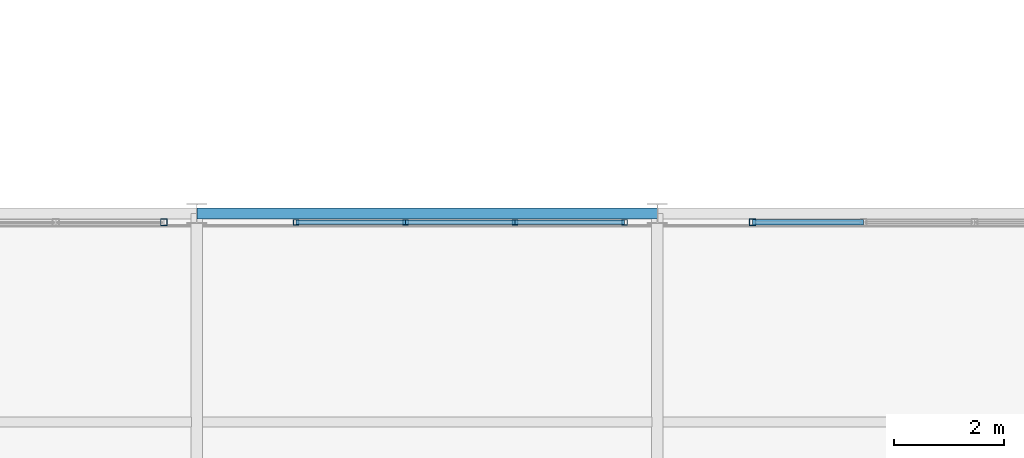
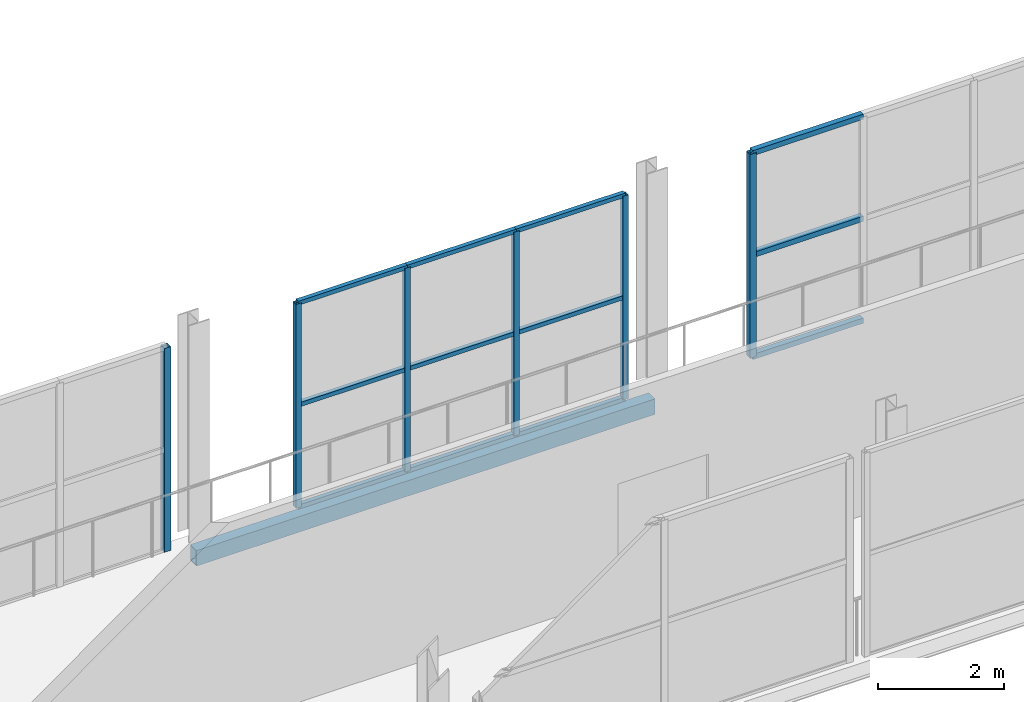
# One storey, part 63 of 217: 18 members, 1 beam, 3 elements without a shape of their own.
"""IFC4 building model written with IfcOpenShell, lengths in metres."""

from ifc_helpers import new_model, si_unit, direction, frame, origin, origin_2d, place, context, subcontext, project, spatial, hollow_rectangle, extrude, material, material_profile, profile_set, type_object, element, aggregate, save


model = new_model("IFC4")

# Units and contexts
model_context = context("Model", 3, precision=1e-05, world=origin(), true_north=direction((0.0, 1.0)))
body_context = subcontext(model_context, "Body", "Model", "MODEL_VIEW")
ifc_project = project(units=[si_unit("LENGTHUNIT", "METRE"), si_unit("AREAUNIT", "SQUARE_METRE"), si_unit("VOLUMEUNIT", "CUBIC_METRE"), si_unit("PLANEANGLEUNIT", "RADIAN"), si_unit("MASSUNIT", "GRAM", prefix="KILO")], contexts=[model_context])

# Site, building, storey
site_placement = place(None, origin())
site = spatial("IfcSite", under=ifc_project, at=site_placement, CompositionType="ELEMENT")
building_placement = place(site_placement, origin())
building = spatial("IfcBuilding", under=site, at=building_placement, Name="Zuvorla Pavilion Media Centre", CompositionType="ELEMENT")
storey_placement = place(building_placement, frame((0.0, 0.0, 9.60009765625)))
storey = spatial("IfcBuildingStorey", under=building, at=storey_placement, Name="L02", CompositionType="ELEMENT", Elevation=9.60009765625)

# Beam
ifc_material_1 = material(Name="Steel S355", Category="steel")
ifc_material_profile_1 = material_profile(ifc_material_1, hollow_rectangle(XDim=0.199951171875, YDim=0.300048828125, WallThickness=0.012451171875, at=origin_2d()), Name="RHS 300x200x12.5")
ifc_profile_set_1 = profile_set([ifc_material_profile_1], Name="Steel S355")
beam_type = type_object("IfcBeamType", Name="BM-SP-RHS300", PredefinedType="SPANDREL", material=ifc_profile_set_1)
beam_placement = place(storey_placement, frame((41.60009765625, 89.60009765625, -0.418212890625), z_axis=(1.0, 0.0, 0.0), x_axis=(0.0, 1.0, 0.0)))
element("IfcBeam", 1, at=beam_placement, inside=storey, type_object=beam_type, Name="L02 spandrel SP01 878", PredefinedType="SPANDREL", context=body_context, shape_type="SweptSolid", body=[
    extrude(hollow_rectangle(XDim=0.199951171875, YDim=0.300048828125, WallThickness=0.012451171875, at=origin_2d()), origin(), (0.0, 0.0, 1.0), 8.39990234375),
])

# Curtain wall, members
ifc_material_2 = material(Name="Unitised anodised aluminium and solar glass curtain wall", Category="aluminium")
curtain_wall_type_1 = type_object("IfcCurtainWallType", Name="CW-SYS-18", PredefinedType="USERDEFINED", material=ifc_material_2)
curtain_wall_1_placement = place(storey_placement, origin())
curtain_wall_1 = element("IfcCurtainWall", 2, at=curtain_wall_1_placement, inside=storey, type_object=curtain_wall_type_1, Name="L02 curtain wall CW18 24", ObjectType="CURTAIN WALL", PredefinedType="USERDEFINED")
ifc_material_3 = material(Name="Anodised aluminium 6063-T6", Category="aluminium")
ifc_material_profile_2 = material_profile(ifc_material_3, hollow_rectangle(XDim=0.10009765625, YDim=0.10009765625, WallThickness=0.00439453125, at=origin_2d()), Name="ALU MULL 100x100")
ifc_profile_set_2 = profile_set([ifc_material_profile_2], Name="Anodised aluminium 6063-T6")
member_type_1 = type_object("IfcMemberType", Name="CW-MULL-100", PredefinedType="MULLION", material=ifc_profile_set_2)
member_1_placement = place(storey_placement, frame((49.39990234375, 89.43994140625, 0.0), z_axis=(0.0, 0.0, 1.0), x_axis=(1.0, 0.0, 0.0)))
member_1 = element("IfcMember", 3, at=member_1_placement, type_object=member_type_1, Name="CW18 mullion 1", PredefinedType="MULLION", context=body_context, shape_type="SweptSolid", body=[
    extrude(hollow_rectangle(XDim=0.10009765625, YDim=0.10009765625, WallThickness=0.00439453125, at=origin_2d()), origin(), (0.0, 0.0, 1.0), 3.949951171875),
])
member_2_placement = place(storey_placement, frame((47.4033203125, 89.43994140625, 0.0), z_axis=(0.0, 0.0, 1.0), x_axis=(1.0, 0.0, 0.0)))
member_2 = element("IfcMember", 4, at=member_2_placement, type_object=member_type_1, Name="CW18 mullion 2", PredefinedType="MULLION", context=body_context, shape_type="SweptSolid", body=[
    extrude(hollow_rectangle(XDim=0.10009765625, YDim=0.10009765625, WallThickness=0.00439453125, at=origin_2d()), origin(), (0.0, 0.0, 1.0), 3.949951171875),
])
member_3_placement = place(storey_placement, frame((45.406494140625, 89.43994140625, 0.0), z_axis=(0.0, 0.0, 1.0), x_axis=(1.0, 0.0, 0.0)))
member_3 = element("IfcMember", 5, at=member_3_placement, type_object=member_type_1, Name="CW18 mullion 3", PredefinedType="MULLION", context=body_context, shape_type="SweptSolid", body=[
    extrude(hollow_rectangle(XDim=0.10009765625, YDim=0.10009765625, WallThickness=0.00439453125, at=origin_2d()), origin(), (0.0, 0.0, 1.0), 3.949951171875),
])
member_4_placement = place(storey_placement, frame((43.409912109375, 89.43994140625, 0.0), z_axis=(0.0, 0.0, 1.0), x_axis=(1.0, 0.0, 0.0)))
member_4 = element("IfcMember", 6, at=member_4_placement, type_object=member_type_1, Name="CW18 mullion 4", PredefinedType="MULLION", context=body_context, shape_type="SweptSolid", body=[
    extrude(hollow_rectangle(XDim=0.10009765625, YDim=0.10009765625, WallThickness=0.00439453125, at=origin_2d()), origin(), (0.0, 0.0, 1.0), 3.949951171875),
])

# Curtain wall, member
curtain_wall_type_2 = type_object("IfcCurtainWallType", Name="CW-SYS-15", PredefinedType="USERDEFINED", material=ifc_material_2)
curtain_wall_2_placement = place(storey_placement, origin())
curtain_wall_2 = element("IfcCurtainWall", 7, at=curtain_wall_2_placement, inside=storey, type_object=curtain_wall_type_2, Name="L02 curtain wall CW15 23", ObjectType="CURTAIN WALL", PredefinedType="USERDEFINED")
ifc_material_profile_3 = material_profile(ifc_material_3, hollow_rectangle(XDim=0.1201171875, YDim=0.1201171875, WallThickness=0.0048828125, at=origin_2d()), Name="ALU MULL 120x120")
ifc_profile_set_3 = profile_set([ifc_material_profile_3], Name="Anodised aluminium 6063-T6")
member_type_2 = type_object("IfcMemberType", Name="CW-MULL-120", PredefinedType="MULLION", material=ifc_profile_set_3)
member_5_placement = place(storey_placement, frame((51.735107421875, 89.43994140625, 0.0), z_axis=(0.0, 0.0, 1.0), x_axis=(1.0, 0.0, 0.0)))
member_5 = element("IfcMember", 8, at=member_5_placement, type_object=member_type_2, Name="CW15 mullion 4", PredefinedType="MULLION", context=body_context, shape_type="SweptSolid", body=[
    extrude(hollow_rectangle(XDim=0.1201171875, YDim=0.1201171875, WallThickness=0.0048828125, at=origin_2d()), origin(), (0.0, 0.0, 1.0), 3.949951171875),
])

curtain_wall_type_3 = type_object("IfcCurtainWallType", Name="CW-SYS-17", PredefinedType="USERDEFINED", material=ifc_material_2)
curtain_wall_3_placement = place(storey_placement, origin())
curtain_wall_3 = element("IfcCurtainWall", 9, at=curtain_wall_3_placement, inside=storey, type_object=curtain_wall_type_3, Name="L02 curtain wall CW17 25", ObjectType="CURTAIN WALL", PredefinedType="USERDEFINED")
member_6_placement = place(storey_placement, frame((40.999755859375, 89.43994140625, 0.0), z_axis=(0.0, 0.0, 1.0), x_axis=(1.0, 0.0, 0.0)))
member_6 = element("IfcMember", 10, at=member_6_placement, type_object=member_type_2, Name="CW17 mullion 1", PredefinedType="MULLION", context=body_context, shape_type="SweptSolid", body=[
    extrude(hollow_rectangle(XDim=0.1201171875, YDim=0.1201171875, WallThickness=0.0048828125, at=origin_2d()), origin(), (0.0, 0.0, 1.0), 3.949951171875),
])
aggregate(curtain_wall_3, [member_6])

# Member
ifc_material_profile_4 = material_profile(ifc_material_3, hollow_rectangle(XDim=0.10009765625, YDim=0.10009765625, WallThickness=0.00439453125, at=origin_2d()), Name="ALU TRAN 100x100")
ifc_profile_set_4 = profile_set([ifc_material_profile_4], Name="Anodised aluminium 6063-T6")
member_type_3 = type_object("IfcMemberType", Name="CW-TRAN-100", PredefinedType="USERDEFINED", material=ifc_profile_set_4)
member_7_placement = place(storey_placement, frame((53.756591796875, 89.43994140625, 0.0), z_axis=(-1.0, 0.0, 0.0), x_axis=(0.0, -1.0, 0.0)))
member_7 = element("IfcMember", 11, at=member_7_placement, type_object=member_type_3, Name="CW15 transom 3.1", ObjectType="TRANSOM", PredefinedType="USERDEFINED", context=body_context, shape_type="SweptSolid", body=[
    extrude(hollow_rectangle(XDim=0.10009765625, YDim=0.10009765625, WallThickness=0.00439453125, at=origin_2d()), origin(), (0.0, 0.0, 1.0), 2.021484375),
])

member_8_placement = place(storey_placement, frame((53.756591796875, 89.43994140625, 1.974853515625), z_axis=(-1.0, 0.0, 0.0), x_axis=(0.0, -1.0, 0.0)))
member_8 = element("IfcMember", 12, at=member_8_placement, type_object=member_type_3, Name="CW15 transom 3.2", ObjectType="TRANSOM", PredefinedType="USERDEFINED", context=body_context, shape_type="SweptSolid", body=[
    extrude(hollow_rectangle(XDim=0.10009765625, YDim=0.10009765625, WallThickness=0.00439453125, at=origin_2d()), origin(), (0.0, 0.0, 1.0), 2.021484375),
])

member_9_placement = place(storey_placement, frame((53.756591796875, 89.43994140625, 3.949951171875), z_axis=(-1.0, 0.0, 0.0), x_axis=(0.0, -1.0, 0.0)))
member_9 = element("IfcMember", 13, at=member_9_placement, type_object=member_type_3, Name="CW15 transom 3.3", ObjectType="TRANSOM", PredefinedType="USERDEFINED", context=body_context, shape_type="SweptSolid", body=[
    extrude(hollow_rectangle(XDim=0.10009765625, YDim=0.10009765625, WallThickness=0.00439453125, at=origin_2d()), origin(), (0.0, 0.0, 1.0), 2.021484375),
])

aggregate(curtain_wall_2, [member_5, member_7, member_8, member_9])

ifc_material_profile_5 = material_profile(ifc_material_3, hollow_rectangle(XDim=0.080078125, YDim=0.080078125, WallThickness=0.00390625, at=origin_2d()), Name="ALU TRAN 80x80")
ifc_profile_set_5 = profile_set([ifc_material_profile_5], Name="Anodised aluminium 6063-T6")
member_type_4 = type_object("IfcMemberType", Name="CW-TRAN-80", PredefinedType="USERDEFINED", material=ifc_profile_set_5)
member_10_placement = place(storey_placement, frame((49.39990234375, 89.43994140625, 0.0), z_axis=(-1.0, 0.0, 0.0), x_axis=(0.0, -1.0, 0.0)))
member_10 = element("IfcMember", 14, at=member_10_placement, type_object=member_type_4, Name="CW18 transom 1.1", ObjectType="TRANSOM", PredefinedType="USERDEFINED", context=body_context, shape_type="SweptSolid", body=[
    extrude(hollow_rectangle(XDim=0.080078125, YDim=0.080078125, WallThickness=0.00390625, at=origin_2d()), origin(), (0.0, 0.0, 1.0), 1.99658203125),
])

member_11_placement = place(storey_placement, frame((49.39990234375, 89.43994140625, 1.974853515625), z_axis=(-1.0, 0.0, 0.0), x_axis=(0.0, -1.0, 0.0)))
member_11 = element("IfcMember", 15, at=member_11_placement, type_object=member_type_4, Name="CW18 transom 1.2", ObjectType="TRANSOM", PredefinedType="USERDEFINED", context=body_context, shape_type="SweptSolid", body=[
    extrude(hollow_rectangle(XDim=0.080078125, YDim=0.080078125, WallThickness=0.00390625, at=origin_2d()), origin(), (0.0, 0.0, 1.0), 1.99658203125),
])

member_12_placement = place(storey_placement, frame((49.39990234375, 89.43994140625, 3.949951171875), z_axis=(-1.0, 0.0, 0.0), x_axis=(0.0, -1.0, 0.0)))
member_12 = element("IfcMember", 16, at=member_12_placement, type_object=member_type_4, Name="CW18 transom 1.3", ObjectType="TRANSOM", PredefinedType="USERDEFINED", context=body_context, shape_type="SweptSolid", body=[
    extrude(hollow_rectangle(XDim=0.080078125, YDim=0.080078125, WallThickness=0.00390625, at=origin_2d()), origin(), (0.0, 0.0, 1.0), 1.99658203125),
])

member_13_placement = place(storey_placement, frame((47.4033203125, 89.43994140625, 0.0), z_axis=(-1.0, 0.0, 0.0), x_axis=(0.0, -1.0, 0.0)))
member_13 = element("IfcMember", 17, at=member_13_placement, type_object=member_type_4, Name="CW18 transom 2.1", ObjectType="TRANSOM", PredefinedType="USERDEFINED", context=body_context, shape_type="SweptSolid", body=[
    extrude(hollow_rectangle(XDim=0.080078125, YDim=0.080078125, WallThickness=0.00390625, at=origin_2d()), origin(), (0.0, 0.0, 1.0), 1.996826171875),
])

member_14_placement = place(storey_placement, frame((47.4033203125, 89.43994140625, 1.974853515625), z_axis=(-1.0, 0.0, 0.0), x_axis=(0.0, -1.0, 0.0)))
member_14 = element("IfcMember", 18, at=member_14_placement, type_object=member_type_4, Name="CW18 transom 2.2", ObjectType="TRANSOM", PredefinedType="USERDEFINED", context=body_context, shape_type="SweptSolid", body=[
    extrude(hollow_rectangle(XDim=0.080078125, YDim=0.080078125, WallThickness=0.00390625, at=origin_2d()), origin(), (0.0, 0.0, 1.0), 1.996826171875),
])

member_15_placement = place(storey_placement, frame((47.4033203125, 89.43994140625, 3.949951171875), z_axis=(-1.0, 0.0, 0.0), x_axis=(0.0, -1.0, 0.0)))
member_15 = element("IfcMember", 19, at=member_15_placement, type_object=member_type_4, Name="CW18 transom 2.3", ObjectType="TRANSOM", PredefinedType="USERDEFINED", context=body_context, shape_type="SweptSolid", body=[
    extrude(hollow_rectangle(XDim=0.080078125, YDim=0.080078125, WallThickness=0.00390625, at=origin_2d()), origin(), (0.0, 0.0, 1.0), 1.996826171875),
])

member_16_placement = place(storey_placement, frame((45.406494140625, 89.43994140625, 0.0), z_axis=(-1.0, 0.0, 0.0), x_axis=(0.0, -1.0, 0.0)))
member_16 = element("IfcMember", 20, at=member_16_placement, type_object=member_type_4, Name="CW18 transom 3.1", ObjectType="TRANSOM", PredefinedType="USERDEFINED", context=body_context, shape_type="SweptSolid", body=[
    extrude(hollow_rectangle(XDim=0.080078125, YDim=0.080078125, WallThickness=0.00390625, at=origin_2d()), origin(), (0.0, 0.0, 1.0), 1.99658203125),
])

member_17_placement = place(storey_placement, frame((45.406494140625, 89.43994140625, 1.974853515625), z_axis=(-1.0, 0.0, 0.0), x_axis=(0.0, -1.0, 0.0)))
member_17 = element("IfcMember", 21, at=member_17_placement, type_object=member_type_4, Name="CW18 transom 3.2", ObjectType="TRANSOM", PredefinedType="USERDEFINED", context=body_context, shape_type="SweptSolid", body=[
    extrude(hollow_rectangle(XDim=0.080078125, YDim=0.080078125, WallThickness=0.00390625, at=origin_2d()), origin(), (0.0, 0.0, 1.0), 1.99658203125),
])

member_18_placement = place(storey_placement, frame((45.406494140625, 89.43994140625, 3.949951171875), z_axis=(-1.0, 0.0, 0.0), x_axis=(0.0, -1.0, 0.0)))
member_18 = element("IfcMember", 22, at=member_18_placement, type_object=member_type_4, Name="CW18 transom 3.3", ObjectType="TRANSOM", PredefinedType="USERDEFINED", context=body_context, shape_type="SweptSolid", body=[
    extrude(hollow_rectangle(XDim=0.080078125, YDim=0.080078125, WallThickness=0.00390625, at=origin_2d()), origin(), (0.0, 0.0, 1.0), 1.99658203125),
])

aggregate(curtain_wall_1, [member_1, member_2, member_3, member_4, member_10, member_11, member_12, member_13, member_14, member_15, member_16, member_17, member_18])

save(model, "model.ifc")
